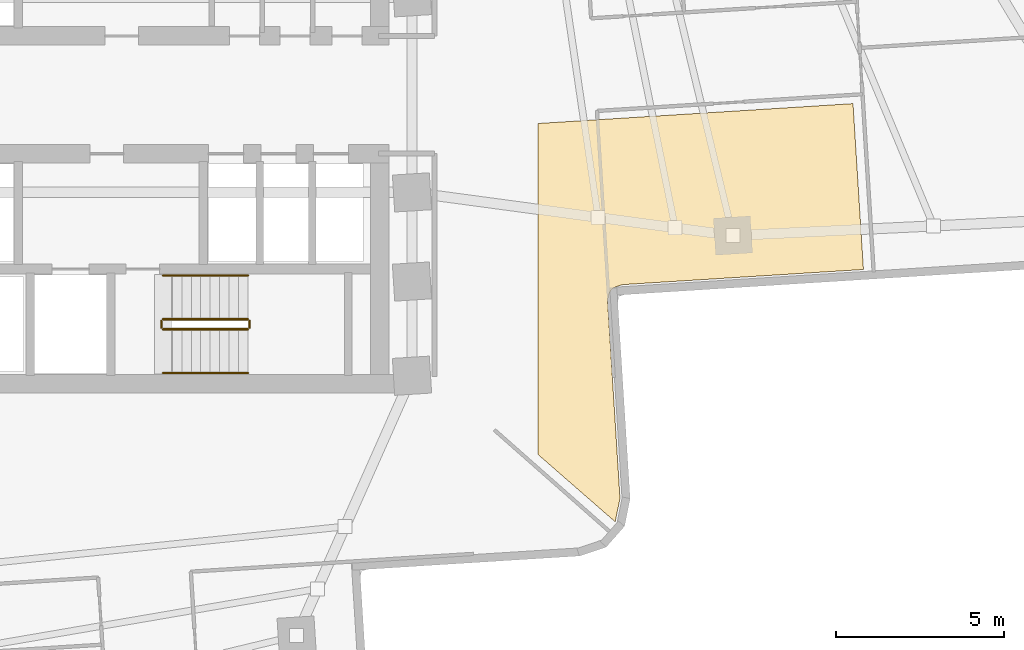
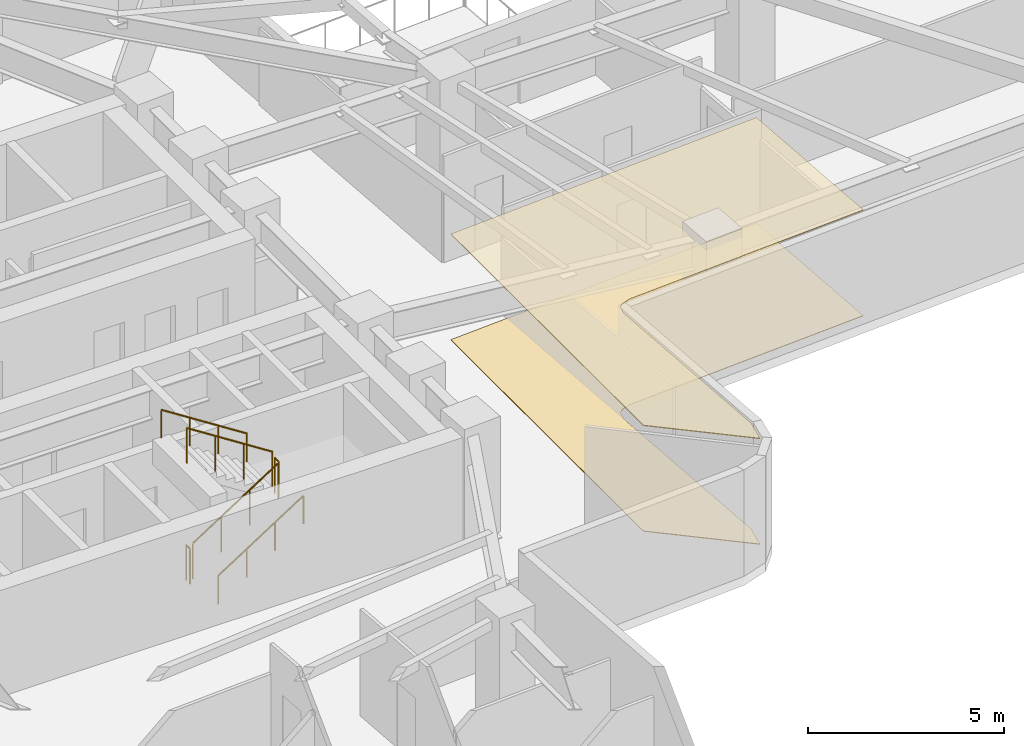
# One storey, part 9 of 11: 6 railings, 2 coverings.
"""IFC4 building model written with IfcOpenShell, lengths in metres."""

from ifc_helpers import new_model, si_unit, direction, frame, origin, origin_2d, place, context, subcontext, project, spatial, polyline, circle, outline, extrude, material, layer, layer_set, type_object, element, save


model = new_model("IFC4")

# Units and contexts
model_context = context("Model", 3, precision=1e-05, world=origin(), true_north=direction((0.0, 1.0)))
body_context = subcontext(model_context, "Body", "Model", "MODEL_VIEW")
ifc_project = project(units=[si_unit("LENGTHUNIT", "METRE"), si_unit("AREAUNIT", "SQUARE_METRE"), si_unit("VOLUMEUNIT", "CUBIC_METRE"), si_unit("PLANEANGLEUNIT", "RADIAN"), si_unit("MASSUNIT", "GRAM", prefix="KILO")], contexts=[model_context])

# Site, building, storey
site_placement = place(None, origin())
site = spatial("IfcSite", under=ifc_project, at=site_placement, CompositionType="ELEMENT")
building_placement = place(site_placement, origin())
building = spatial("IfcBuilding", under=site, at=building_placement, Name="Solmarez Civic Tower", CompositionType="ELEMENT")
storey_placement = place(building_placement, frame((0.0, 0.0, 49.679931640625)))
storey = spatial("IfcBuildingStorey", under=building, at=storey_placement, Name="L12", CompositionType="ELEMENT", Elevation=49.679931640625)

# Coverings
ifc_material_1 = material(Name="Perforated Mineral-Fibre Acoustic Ceiling")
ifc_layer_1 = layer(ifc_material_1, 0.02490234375)
ifc_layer_set_1 = layer_set([ifc_layer_1], Name="Perforated Mineral-Fibre Acoustic Ceiling")
covering_type_1 = type_object("IfcCoveringType", Name="COV-CEIL-ACOUSTIC", PredefinedType="CEILING", material=ifc_layer_set_1)
covering_1_placement = place(storey_placement, frame((0.0, 0.0, 3.295166015625)))
element("IfcCovering", 1, at=covering_1_placement, inside=storey, type_object=covering_type_1, Name="L12 Suspended Acoustic Ceiling 1", PredefinedType="CEILING", context=body_context, shape_type="SweptSolid", body=[
    extrude(outline(polyline([(12.60009765625, -0.85107421875), (12.60009765625, -10.695068359375), (14.887939453125, -12.68994140625), (14.89306640625, -12.68408203125), (15.032958984375, -11.989990234375), (14.6669921875, -6.181884765625), (14.6669921875, -6.16796875), (14.6669921875, -6.154052734375), (14.6689453125, -6.123046875), (14.669921875, -6.115966796875), (14.672119140625, -6.10302734375), (14.7060546875, -5.93505859375), (14.708984375, -5.926025390625), (14.7109375, -5.91796875), (14.7119140625, -5.910888671875), (14.714111328125, -5.904052734375), (14.722900390625, -5.87890625), (14.735107421875, -5.85498046875), (14.739013671875, -5.847900390625), (14.7470703125, -5.8349609375), (14.757080078125, -5.818115234375), (14.76904296875, -5.802978515625), (14.781982421875, -5.7880859375), (14.787109375, -5.782958984375), (14.802001953125, -5.77001953125), (14.81396484375, -5.760009765625), (14.8330078125, -5.74609375), (14.839111328125, -5.741943359375), (14.85205078125, -5.73388671875), (14.85888671875, -5.72998046875), (14.883056640625, -5.718017578125), (14.909912109375, -5.708984375), (15.068115234375, -5.656005859375), (15.077880859375, -5.652099609375), (15.092041015625, -5.64794921875), (15.111083984375, -5.64404296875), (15.132080078125, -5.64111328125), (15.14892578125, -5.639892578125), (22.27001953125, -5.19189453125), (21.9599609375, -0.260986328125), (12.60009765625, -0.85107421875)])), origin(), (0.0, 0.0, 1.0), 0.02490234375),
])
ifc_material_2 = material(Name="Polished Tropical Stone Terrazzo Flooring", Category="masonry")
ifc_layer_2 = layer(ifc_material_2, 0.02001953125)
ifc_layer_set_2 = layer_set([ifc_layer_2], Name="Polished Tropical Stone Terrazzo Flooring")
covering_type_2 = type_object("IfcCoveringType", Name="COV-FLOOR-TERRAZZO", PredefinedType="FLOORING", material=ifc_layer_set_2)
covering_2_placement = place(storey_placement, origin())
element("IfcCovering", 2, at=covering_2_placement, inside=storey, type_object=covering_type_2, Name="L12 Terrazzo Floor Finish 1", PredefinedType="FLOORING", context=body_context, shape_type="SweptSolid", body=[
    extrude(outline(polyline([(12.60009765625, -0.85107421875), (12.60009765625, -10.695068359375), (14.887939453125, -12.68994140625), (14.89306640625, -12.68408203125), (15.032958984375, -11.989990234375), (14.6669921875, -6.181884765625), (14.6669921875, -6.16796875), (14.6669921875, -6.154052734375), (14.6689453125, -6.123046875), (14.669921875, -6.115966796875), (14.672119140625, -6.10302734375), (14.7060546875, -5.93505859375), (14.708984375, -5.926025390625), (14.7109375, -5.91796875), (14.7119140625, -5.910888671875), (14.714111328125, -5.904052734375), (14.722900390625, -5.87890625), (14.735107421875, -5.85498046875), (14.739013671875, -5.847900390625), (14.7470703125, -5.8349609375), (14.757080078125, -5.818115234375), (14.76904296875, -5.802978515625), (14.781982421875, -5.7880859375), (14.787109375, -5.782958984375), (14.802001953125, -5.77001953125), (14.81396484375, -5.760009765625), (14.8330078125, -5.74609375), (14.839111328125, -5.741943359375), (14.85205078125, -5.73388671875), (14.85888671875, -5.72998046875), (14.883056640625, -5.718017578125), (14.909912109375, -5.708984375), (15.068115234375, -5.656005859375), (15.077880859375, -5.652099609375), (15.092041015625, -5.64794921875), (15.111083984375, -5.64404296875), (15.132080078125, -5.64111328125), (15.14892578125, -5.639892578125), (22.27001953125, -5.19189453125), (21.9599609375, -0.260986328125), (12.60009765625, -0.85107421875)])), origin(), (0.0, 0.0, 1.0), 0.02001953125),
])

# Railings
ifc_material_3 = material(Name="Painted Steel Stairwell Safety Guard", Category="steel")
railing_type_1 = type_object("IfcRailingType", Name="GUARD-STAIR-1120", PredefinedType="BALUSTRADE", material=ifc_material_3)
railing_1_placement = place(storey_placement, frame((1.449951171875, -6.969970703125, 0.18017578125)))
element("IfcRailing", 3, at=railing_1_placement, inside=storey, type_object=railing_type_1, Name="L12 ST-2 stair guard 1", PredefinedType="BALUSTRADE", context=body_context, shape_type="SweptSolid", body=[
    extrude(circle(Radius=0.02392578125, at=origin_2d()), frame((0.0, 0.0, 1.09619140625), z_axis=(0.841199657755, 0.0, 0.540724639528), x_axis=(0.0, 1.0, 0.0)), (0.0, 0.0, 1.0), 2.995849609375),
    extrude(circle(Radius=0.02099609375, at=origin_2d()), origin(), (0.0, 0.0, 1.0), 1.072021484375),
    extrude(circle(Radius=0.02099609375, at=origin_2d()), frame((0.840087890625, 0.0, 0.5400390625)), (0.0, 0.0, 1.0), 1.072021484375),
    extrude(circle(Radius=0.02099609375, at=origin_2d()), frame((1.679931640625, 0.0, 1.079833984375)), (0.0, 0.0, 1.0), 1.072021484375),
    extrude(circle(Radius=0.02099609375, at=origin_2d()), frame((2.52001953125, 0.0, 1.619873046875)), (0.0, 0.0, 1.0), 1.072021484375),
])
railing_2_placement = place(storey_placement, frame((4.02001953125, -6.919921875, 1.800048828125)))
element("IfcRailing", 4, at=railing_2_placement, inside=storey, type_object=railing_type_1, Name="L12 ST-2 stair guard 2", PredefinedType="BALUSTRADE", context=body_context, shape_type="SweptSolid", body=[
    extrude(circle(Radius=0.02392578125, at=origin_2d()), frame((0.0, 0.0, 1.09619140625), z_axis=(0.0, 1.0, 0.0), x_axis=(-1.0, 0.0, 0.0)), (0.0, 0.0, 1.0), 0.199951171875),
    extrude(circle(Radius=0.02099609375, at=origin_2d()), origin(), (0.0, 0.0, 1.0), 1.072021484375),
    extrude(circle(Radius=0.02099609375, at=origin_2d()), frame((0.0, 0.199951171875, 0.0)), (0.0, 0.0, 1.0), 1.072021484375),
])
railing_3_placement = place(storey_placement, frame((3.969970703125, -6.669921875, 1.97998046875)))
element("IfcRailing", 5, at=railing_3_placement, inside=storey, type_object=railing_type_1, Name="L12 ST-2 stair guard 3", PredefinedType="BALUSTRADE", context=body_context, shape_type="SweptSolid", body=[
    extrude(circle(Radius=0.02392578125, at=origin_2d()), frame((0.0, 0.0, 1.09619140625), z_axis=(-0.841162588446, 0.0, 0.540782303519), x_axis=(0.0, -1.0, 0.0)), (0.0, 0.0, 1.0), 2.995849609375),
    extrude(circle(Radius=0.02099609375, at=origin_2d()), origin(), (0.0, 0.0, 1.0), 1.072021484375),
    extrude(circle(Radius=0.02099609375, at=origin_2d()), frame((-0.840087890625, 0.0, 0.5400390625)), (0.0, 0.0, 1.0), 1.072021484375),
    extrude(circle(Radius=0.02099609375, at=origin_2d()), frame((-1.679931640625, 0.0, 1.080078125)), (0.0, 0.0, 1.0), 1.072021484375),
    extrude(circle(Radius=0.02099609375, at=origin_2d()), frame((-2.52001953125, 0.0, 1.6201171875)), (0.0, 0.0, 1.0), 1.072021484375),
])
railing_4_placement = place(storey_placement, frame((1.39990234375, -6.919921875, 0.0)))
element("IfcRailing", 6, at=railing_4_placement, inside=storey, type_object=railing_type_1, Name="L12 ST-2 stair guard 4", PredefinedType="BALUSTRADE", context=body_context, shape_type="SweptSolid", body=[
    extrude(circle(Radius=0.02392578125, at=origin_2d()), frame((0.0, 0.0, 1.09619140625), z_axis=(0.0, 1.0, 0.0), x_axis=(-1.0, 0.0, 0.0)), (0.0, 0.0, 1.0), 0.199951171875),
    extrude(circle(Radius=0.02099609375, at=origin_2d()), origin(), (0.0, 0.0, 1.0), 1.072021484375),
    extrude(circle(Radius=0.02099609375, at=origin_2d()), frame((0.0, 0.199951171875, 0.0)), (0.0, 0.0, 1.0), 1.072021484375),
])
ifc_material_4 = material(Name="Brushed Stainless Steel Tube Handrail", Category="steel")
railing_type_2 = type_object("IfcRailingType", Name="HANDRAIL-STAIR-900", PredefinedType="HANDRAIL", material=ifc_material_4)
railing_5_placement = place(storey_placement, frame((1.449951171875, -8.27001953125, 0.18017578125)))
element("IfcRailing", 7, at=railing_5_placement, inside=storey, type_object=railing_type_2, Name="L12 ST-2 stair handrail 1", PredefinedType="HANDRAIL", context=body_context, shape_type="SweptSolid", body=[
    extrude(circle(Radius=0.02392578125, at=origin_2d()), frame((0.0, 0.0, 0.8759765625), z_axis=(0.841199657755, 0.0, 0.540724639528), x_axis=(0.0, 1.0, 0.0)), (0.0, 0.0, 1.0), 2.995849609375),
    extrude(circle(Radius=0.02099609375, at=origin_2d()), origin(), (0.0, 0.0, 1.0), 0.851806640625),
    extrude(circle(Radius=0.02099609375, at=origin_2d()), frame((0.840087890625, 0.0, 0.5400390625)), (0.0, 0.0, 1.0), 0.851806640625),
    extrude(circle(Radius=0.02099609375, at=origin_2d()), frame((1.679931640625, 0.0, 1.079833984375)), (0.0, 0.0, 1.0), 0.851806640625),
    extrude(circle(Radius=0.02099609375, at=origin_2d()), frame((2.52001953125, 0.0, 1.619873046875)), (0.0, 0.0, 1.0), 0.851806640625),
])
railing_6_placement = place(storey_placement, frame((3.969970703125, -5.3701171875, 1.97998046875)))
element("IfcRailing", 8, at=railing_6_placement, inside=storey, type_object=railing_type_2, Name="L12 ST-2 stair handrail 2", PredefinedType="HANDRAIL", context=body_context, shape_type="SweptSolid", body=[
    extrude(circle(Radius=0.02392578125, at=origin_2d()), frame((0.0, 0.0, 0.8759765625), z_axis=(-0.841162588446, 0.0, 0.540782303519), x_axis=(0.0, -1.0, 0.0)), (0.0, 0.0, 1.0), 2.995849609375),
    extrude(circle(Radius=0.02099609375, at=origin_2d()), origin(), (0.0, 0.0, 1.0), 0.851806640625),
    extrude(circle(Radius=0.02099609375, at=origin_2d()), frame((-0.840087890625, 0.0, 0.5400390625)), (0.0, 0.0, 1.0), 0.851806640625),
    extrude(circle(Radius=0.02099609375, at=origin_2d()), frame((-1.679931640625, 0.0, 1.080078125)), (0.0, 0.0, 1.0), 0.851806640625),
    extrude(circle(Radius=0.02099609375, at=origin_2d()), frame((-2.52001953125, 0.0, 1.6201171875)), (0.0, 0.0, 1.0), 0.851806640625),
])

save(model, "model.ifc")
